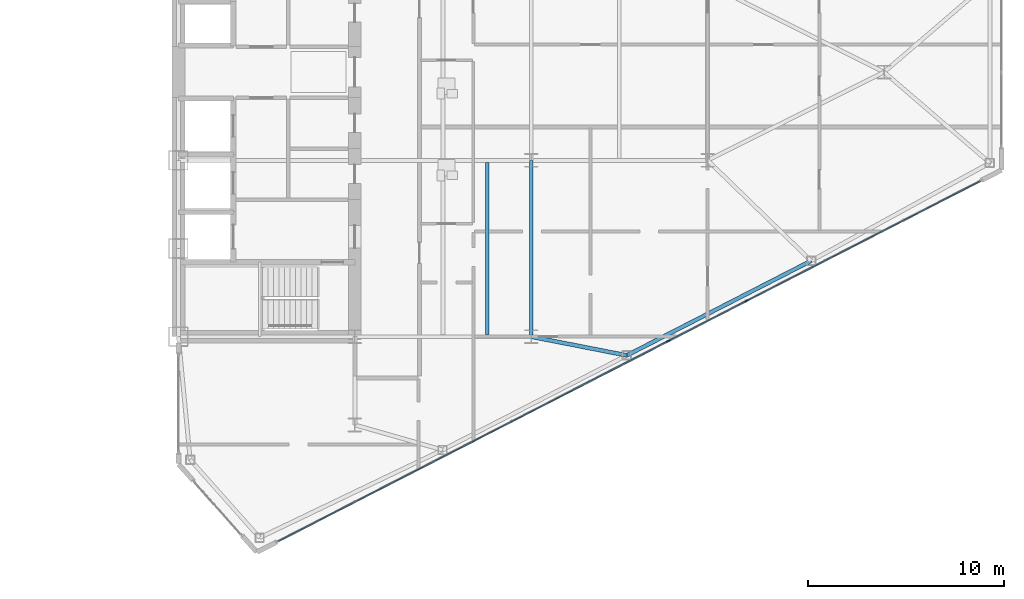
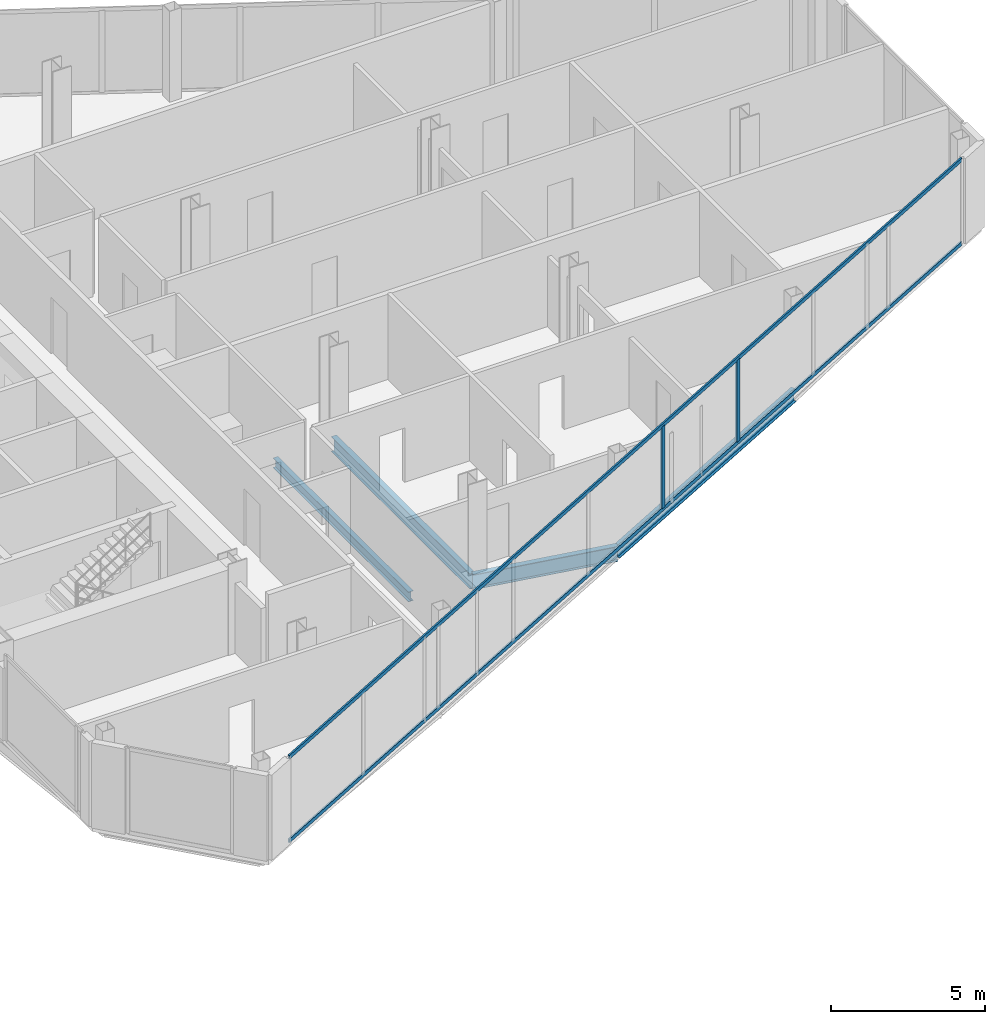
# One storey, part 9 of 24: 4 beams, 4 members, 1 element without a shape of its own.
"""IFC4 building model written with IfcOpenShell, lengths in metres."""

from ifc_helpers import new_model, si_unit, direction, frame, origin, origin_2d, place, context, subcontext, project, spatial, rectangle, i_section, extrude, source, transform, mapped, material, layer, layer_set, material_profile, profile_set, type_object, type_shapes, element, aggregate, save


model = new_model("IFC4")

# Units and contexts
model_context = context("Model", 3, precision=1e-05, world=origin(), true_north=direction((0.0, 1.0)))
body_context = subcontext(model_context, "Body", "Model", "MODEL_VIEW")
ifc_project = project(units=[si_unit("LENGTHUNIT", "METRE"), si_unit("AREAUNIT", "SQUARE_METRE"), si_unit("VOLUMEUNIT", "CUBIC_METRE"), si_unit("PLANEANGLEUNIT", "RADIAN"), si_unit("MASSUNIT", "GRAM", prefix="KILO")], contexts=[model_context])

# Site, building, storey
site_placement = place(None, origin())
site = spatial("IfcSite", under=ifc_project, at=site_placement, CompositionType="ELEMENT")
building_placement = place(site_placement, origin())
building = spatial("IfcBuilding", under=site, at=building_placement, Name="Seokmaru Belvedere", CompositionType="ELEMENT")
storey_placement = place(building_placement, frame((0.0, 0.0, 117.60009765625)))
storey = spatial("IfcBuildingStorey", under=building, at=storey_placement, Name="L31", CompositionType="ELEMENT", Elevation=117.60009765625)

# Beams
ifc_material_1 = material(Name="Steel SM355 (355 MPa)", Category="steel")
ifc_material_profile_1 = material_profile(ifc_material_1, i_section(OverallWidth=0.199951171875, OverallDepth=0.60009765625, WebThickness=0.010986328125, FlangeThickness=0.01708984375, at=origin_2d()), Name="H-600x200x11x17")
ifc_profile_set_1 = profile_set([ifc_material_profile_1], Name="Steel SM355 (355 MPa)")
beam_type_1 = type_object("IfcBeamType", Name="Primary Floor Girder H-600", PredefinedType="BEAM", material=ifc_profile_set_1)
shared_shape_1 = source(origin(), body_context, "Body", "SweptSolid", [
    extrude(i_section(OverallWidth=0.199951171875, OverallDepth=0.60009765625, WebThickness=0.010986328125, FlangeThickness=0.01708984375, at=origin_2d()), origin(), (0.0, 0.0, 1.0), 9.0),
])
beam_1_placement = place(storey_placement, frame((45.5, -13.5, -0.52001953125), z_axis=(0.0, 1.0, 0.0), x_axis=(-1.0, 0.0, 0.0)))
element("IfcBeam", 1, at=beam_1_placement, inside=storey, type_object=beam_type_1, Name="L31 E Interior Grid Girder 1", PredefinedType="BEAM", context=body_context, shape_type="MappedRepresentation", body=[
    mapped(shared_shape_1, transform((0.0, 0.0, 0.0), scale=1.0)),
])
ifc_material_profile_2 = material_profile(ifc_material_1, i_section(OverallWidth=0.18505859375, OverallDepth=0.389892578125, WebThickness=0.008056640625, FlangeThickness=0.011962890625, at=origin_2d()), Name="H-390x185x8x12")
ifc_profile_set_2 = profile_set([ifc_material_profile_2], Name="Steel SM355 (355 MPa)")
beam_type_2 = type_object("IfcBeamType", Name="Secondary Floor Joist H-350", PredefinedType="JOIST", material=ifc_profile_set_2)
shared_shape_2 = source(origin(), body_context, "Body", "SweptSolid", [
    extrude(i_section(OverallWidth=0.18505859375, OverallDepth=0.389892578125, WebThickness=0.008056640625, FlangeThickness=0.011962890625, at=origin_2d()), origin(), (0.0, 0.0, 1.0), 8.7900390625),
])
type_shapes(beam_type_2, [shared_shape_2])
beam_2_placement = place(storey_placement, frame((43.25, -13.39501953125, -0.4150390625), z_axis=(0.0, 1.0, 0.0), x_axis=(-1.0, 0.0, 0.0)))
element("IfcBeam", 2, at=beam_2_placement, inside=storey, type_object=beam_type_2, Name="L31 E Wing Inner Secondary Joist 1", PredefinedType="JOIST", context=body_context, shape_type="MappedRepresentation", body=[
    mapped(shared_shape_2, transform((0.0, 0.0, 0.0), scale=1.0)),
])
ifc_material_profile_3 = material_profile(ifc_material_1, i_section(OverallWidth=0.199951171875, OverallDepth=0.5, WebThickness=0.010009765625, FlangeThickness=0.01611328125, at=origin_2d()), Name="H-500x200x10x16")
ifc_profile_set_3 = profile_set([ifc_material_profile_3], Name="Steel SM355 (355 MPa)")
beam_type_3 = type_object("IfcBeamType", Name="Perimeter Spandrel Beam H-500", PredefinedType="SPANDREL", material=ifc_profile_set_3)
shared_shape_3 = source(origin(), body_context, "Body", "SweptSolid", [
    extrude(i_section(OverallWidth=0.199951171875, OverallDepth=0.5, WebThickness=0.010009765625, FlangeThickness=0.01611328125, at=origin_2d()), origin(), (0.0, 0.0, 1.0), 10.56689453125),
])
type_shapes(beam_type_3, [shared_shape_3])
beam_3_placement = place(storey_placement, frame((50.377197265625, -14.453369140625, -0.47021484375), z_axis=(0.889692588006, 0.456560071455, 0.0), x_axis=(-0.456560071455, 0.889692588006, 0.0)))
element("IfcBeam", 3, at=beam_3_placement, inside=storey, type_object=beam_type_3, Name="L31 E Faceted Flank Spandrel S-3", PredefinedType="SPANDREL", context=body_context, shape_type="MappedRepresentation", body=[
    mapped(shared_shape_3, transform((0.0, 0.0, 0.0), scale=1.0)),
])
shared_shape_4 = source(origin(), body_context, "Body", "SweptSolid", [
    extrude(i_section(OverallWidth=0.199951171875, OverallDepth=0.60009765625, WebThickness=0.010986328125, FlangeThickness=0.01708984375, at=origin_2d()), origin(), (0.0, 0.0, 1.0), 4.969482421875),
])
type_shapes(beam_type_1, [shared_shape_1, shared_shape_4])
beam_4_placement = place(storey_placement, frame((50.377197265625, -14.453369140625, -0.52001953125), z_axis=(-0.98142544456, 0.19184393858, 0.0), x_axis=(-0.19184393858, -0.98142544456, 0.0)))
element("IfcBeam", 4, at=beam_4_placement, inside=storey, type_object=beam_type_1, Name="L31 E Flank Radial Floor Girder S-2", PredefinedType="BEAM", context=body_context, shape_type="MappedRepresentation", body=[
    mapped(shared_shape_4, transform((0.0, 0.0, 0.0), scale=1.0)),
])

# Curtain wall, members
ifc_material_2 = material(Name="Bronze Triple Insulating Glass", Category="glass")
ifc_layer = layer(ifc_material_2, 0.195068359375)
ifc_layer_set = layer_set([ifc_layer], Name="Bronze Triple Insulating Glass")
curtain_wall_type = type_object("IfcCurtainWallType", Name="Sky-Lobby and Mid-Rise Curtain Wall System CW-4", PredefinedType="NOTDEFINED", material=ifc_layer_set)
curtain_wall_placement = place(storey_placement, origin())
curtain_wall = element("IfcCurtainWall", 5, at=curtain_wall_placement, inside=storey, type_object=curtain_wall_type, Name="L31 Curtain Wall EF1", PredefinedType="NOTDEFINED")
ifc_material_3 = material(Name="Anodised Bronze Aluminium", Category="aluminium")
ifc_material_profile_4 = material_profile(ifc_material_3, rectangle(XDim=0.070068359375, YDim=0.195068359375, at=origin_2d()), Name="CW-M-70x195")
ifc_profile_set_4 = profile_set([ifc_material_profile_4], Name="Anodised Bronze Aluminium")
member_type_1 = type_object("IfcMemberType", Name="Bronze Unitised Mullion 70x195", PredefinedType="MULLION", material=ifc_profile_set_4)
shared_shape_5 = source(origin(), body_context, "Body", "SweptSolid", [
    extrude(rectangle(XDim=0.070068359375, YDim=0.195068359375, at=origin_2d()), origin(), (0.0, 0.0, 1.0), 3.25),
])
type_shapes(member_type_1, [shared_shape_5])
member_1_placement = place(storey_placement, frame((52.497314453125, -13.72509765625, 0.06494140625), z_axis=(0.0, 0.0, 1.0), x_axis=(-0.456554528263, 0.889695432562, 0.0)))
member_1 = element("IfcMember", 6, at=member_1_placement, type_object=member_type_1, Name="CW:L31:EF1 Mullion 6", PredefinedType="MULLION", context=body_context, shape_type="MappedRepresentation", body=[
    mapped(shared_shape_5, transform((0.0, 0.0, 0.0), scale=1.0)),
])
member_2_placement = place(storey_placement, frame((56.4921875, -11.675048828125, 0.06494140625), z_axis=(0.0, 0.0, 1.0), x_axis=(-0.456554528263, 0.889695432562, 0.0)))
member_2 = element("IfcMember", 7, at=member_2_placement, type_object=member_type_1, Name="CW:L31:EF1 Mullion 7", PredefinedType="MULLION", context=body_context, shape_type="MappedRepresentation", body=[
    mapped(shared_shape_5, transform((0.0, 0.0, 0.0), scale=1.0)),
])
ifc_material_profile_5 = material_profile(ifc_material_3, rectangle(XDim=0.06494140625, YDim=0.14990234375, at=origin_2d()), Name="CW-T-65x150")
ifc_profile_set_5 = profile_set([ifc_material_profile_5], Name="Anodised Bronze Aluminium")
member_type_2 = type_object("IfcMemberType", Name="Bronze Unitised Transom 65x150", PredefinedType="USERDEFINED", material=ifc_profile_set_5)
shared_shape_6 = source(origin(), body_context, "Body", "SweptSolid", [
    extrude(rectangle(XDim=0.06494140625, YDim=0.14990234375, at=origin_2d()), origin(), (0.0, 0.0, 1.0), 40.271240234375),
])
type_shapes(member_type_2, [shared_shape_6])
member_3_placement = place(storey_placement, frame((32.58544921875, -23.943115234375, 0.032470703125), z_axis=(0.889693089107, 0.456559094965, 0.0), x_axis=(-0.456559094965, 0.889693089107, 0.0)))
member_3 = element("IfcMember", 8, at=member_3_placement, type_object=member_type_2, Name="CW:L31:EF1 Continuous Transom 1", ObjectType="TRANSOM", PredefinedType="USERDEFINED", context=body_context, shape_type="MappedRepresentation", body=[
    mapped(shared_shape_6, transform((0.0, 0.0, 0.0), scale=1.0)),
])
member_4_placement = place(storey_placement, frame((32.58544921875, -23.943115234375, 3.347412109375), z_axis=(0.889693089107, 0.456559094965, 0.0), x_axis=(-0.456559094965, 0.889693089107, 0.0)))
member_4 = element("IfcMember", 9, at=member_4_placement, type_object=member_type_2, Name="CW:L31:EF1 Continuous Transom 2", ObjectType="TRANSOM", PredefinedType="USERDEFINED", context=body_context, shape_type="MappedRepresentation", body=[
    mapped(shared_shape_6, transform((0.0, 0.0, 0.0), scale=1.0)),
])
aggregate(curtain_wall, [member_1, member_2, member_3, member_4])

save(model, "model.ifc")
